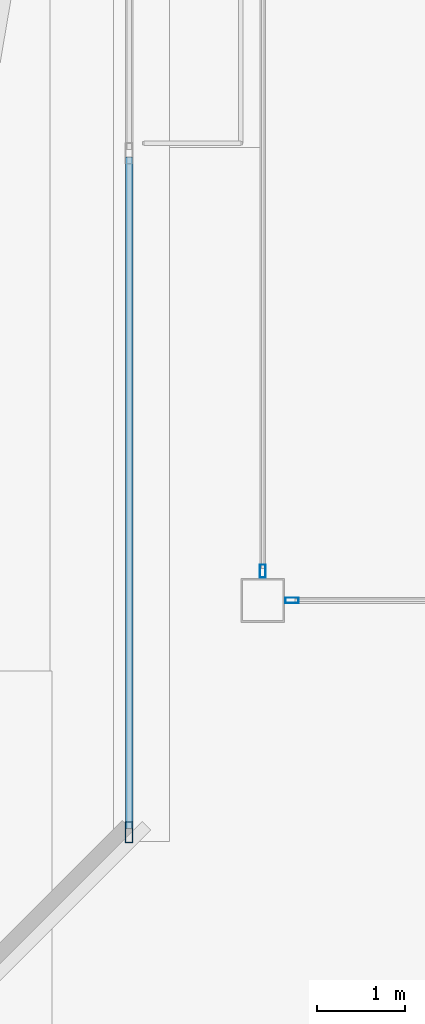
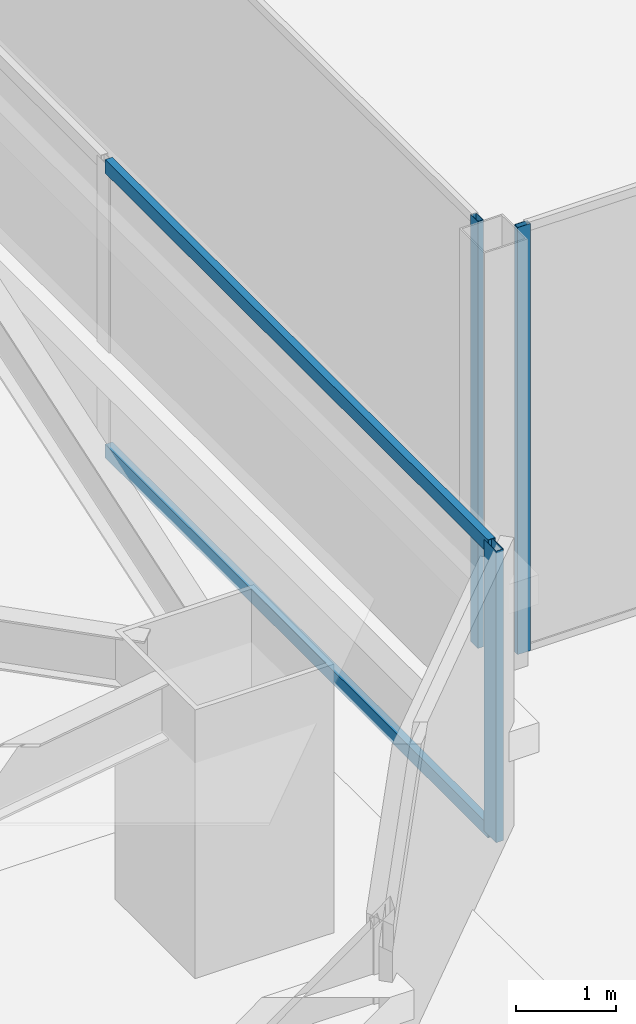
# One storey, part 23 of 83: 5 members, 3 elements without a shape of their own.
"""IFC4 building model written with IfcOpenShell, lengths in metres."""

from ifc_helpers import new_model, si_unit, direction, frame, origin, origin_2d, place, context, subcontext, project, spatial, hollow_rectangle, extrude, material, material_profile, profile_set, type_object, element, aggregate, save


model = new_model("IFC4")

# Units and contexts
model_context = context("Model", 3, precision=1e-05, world=origin(), true_north=direction((0.0, 1.0)))
body_context = subcontext(model_context, "Body", "Model", "MODEL_VIEW")
ifc_project = project(units=[si_unit("LENGTHUNIT", "METRE"), si_unit("AREAUNIT", "SQUARE_METRE"), si_unit("VOLUMEUNIT", "CUBIC_METRE"), si_unit("PLANEANGLEUNIT", "RADIAN"), si_unit("MASSUNIT", "GRAM", prefix="KILO")], contexts=[model_context])

# Site, building, storey
site_placement = place(None, origin())
site = spatial("IfcSite", under=ifc_project, at=site_placement, CompositionType="ELEMENT")
building_placement = place(site_placement, origin())
building = spatial("IfcBuilding", under=site, at=building_placement, Name="Tashvorn Skyway Center", CompositionType="ELEMENT")
storey_placement = place(building_placement, frame((0.0, 0.0, 24.60009765625)))
storey = spatial("IfcBuildingStorey", under=building, at=storey_placement, Name="L05", CompositionType="ELEMENT", Elevation=24.60009765625)

# Curtain wall, member
ifc_material = material(Name="Thermally broken bronze-anodized aluminium 6063-T6", Category="aluminium")
curtain_wall_type_1 = type_object("IfcCurtainWallType", Name="CW-CW-SKY", PredefinedType="NOTDEFINED", material=ifc_material)
curtain_wall_1_placement = place(storey_placement, origin())
curtain_wall_1 = element("IfcCurtainWall", 1, at=curtain_wall_1_placement, inside=storey, type_object=curtain_wall_type_1, Name="Station Concourse Monitor West Clerestory Curtain Wall Glazing Group 1", PredefinedType="NOTDEFINED")
ifc_material_profile_1 = material_profile(ifc_material, hollow_rectangle(XDim=0.06494140625, YDim=0.14990234375, WallThickness=0.00390625, at=origin_2d()), Name="ALU-MULL-65x150")
ifc_profile_set_1 = profile_set([ifc_material_profile_1], Name="Thermally broken bronze-anodized aluminium 6063-T6")
member_type_1 = type_object("IfcMemberType", Name="CWM-CW-SKY", PredefinedType="MULLION", material=ifc_profile_set_1)
member_1_placement = place(storey_placement, frame((66.39990234375, 15.132568359375, 0.0), z_axis=(0.0, 0.0, 1.0), x_axis=(-1.0, 0.0, 0.0)))
member_1 = element("IfcMember", 2, at=member_1_placement, type_object=member_type_1, Name="CW-SKY mullion 1", PredefinedType="MULLION", context=body_context, shape_type="SweptSolid", body=[
    extrude(hollow_rectangle(XDim=0.06494140625, YDim=0.14990234375, WallThickness=0.00390625, at=origin_2d()), origin(), (0.0, 0.0, 1.0), 5.199951171875),
])
aggregate(curtain_wall_1, [member_1])

curtain_wall_2_placement = place(storey_placement, origin())
curtain_wall_2 = element("IfcCurtainWall", 3, at=curtain_wall_2_placement, inside=storey, type_object=curtain_wall_type_1, Name="Station Concourse Monitor South Clerestory Curtain Wall", PredefinedType="NOTDEFINED")
member_2_placement = place(storey_placement, frame((66.732421875, 14.800048828125, 0.0), z_axis=(0.0, 0.0, 1.0), x_axis=(0.0, -1.0, 0.0)))
member_2 = element("IfcMember", 4, at=member_2_placement, type_object=member_type_1, Name="CW-SKY mullion 3", PredefinedType="MULLION", context=body_context, shape_type="SweptSolid", body=[
    extrude(hollow_rectangle(XDim=0.06494140625, YDim=0.14990234375, WallThickness=0.00390625, at=origin_2d()), origin(), (0.0, 0.0, 1.0), 5.199951171875),
])
aggregate(curtain_wall_2, [member_2])

# Curtain wall, members
curtain_wall_type_2 = type_object("IfcCurtainWallType", Name="CW-CW-Z1", PredefinedType="NOTDEFINED", material=ifc_material)
curtain_wall_3_placement = place(storey_placement, origin())
curtain_wall_3 = element("IfcCurtainWall", 5, at=curtain_wall_3_placement, inside=storey, type_object=curtain_wall_type_2, Name="Tower 1 L05 East Curtain Wall R", PredefinedType="NOTDEFINED")
ifc_material_profile_2 = material_profile(ifc_material, hollow_rectangle(XDim=0.0849609375, YDim=0.239990234375, WallThickness=0.0048828125, at=origin_2d()), Name="ALU-MULL-85x240")
ifc_profile_set_2 = profile_set([ifc_material_profile_2], Name="Thermally broken bronze-anodized aluminium 6063-T6")
member_type_2 = type_object("IfcMemberType", Name="CWM-CW-Z1", PredefinedType="MULLION", material=ifc_profile_set_2)
member_3_placement = place(storey_placement, frame((64.8798828125, 12.16259765625, 0.0), z_axis=(0.0, 0.0, 1.0), x_axis=(1.0, 0.0, 0.0)))
member_3 = element("IfcMember", 6, at=member_3_placement, type_object=member_type_2, Name="CW-Z1 mullion 3", PredefinedType="MULLION", context=body_context, shape_type="SweptSolid", body=[
    extrude(hollow_rectangle(XDim=0.0849609375, YDim=0.239990234375, WallThickness=0.0048828125, at=origin_2d()), origin(), (0.0, 0.0, 1.0), 3.5498046875),
])
ifc_material_profile_3 = material_profile(ifc_material, hollow_rectangle(XDim=0.0849609375, YDim=0.1650390625, WallThickness=0.0048828125, at=origin_2d()), Name="ALU-TRAN-85x165")
ifc_profile_set_3 = profile_set([ifc_material_profile_3], Name="Thermally broken bronze-anodized aluminium 6063-T6")
member_type_3 = type_object("IfcMemberType", Name="CWT-CW-Z1", PredefinedType="USERDEFINED", material=ifc_profile_set_3)
member_4_placement = place(storey_placement, frame((64.8798828125, 19.842529296875, 0.04248046875), z_axis=(0.0, -1.0, 0.0), x_axis=(1.0, 0.0, 0.0)))
member_4 = element("IfcMember", 7, at=member_4_placement, type_object=member_type_3, Name="CW-Z1 transom 2.1", ObjectType="TRANSOM", PredefinedType="USERDEFINED", context=body_context, shape_type="SweptSolid", body=[
    extrude(hollow_rectangle(XDim=0.0849609375, YDim=0.1650390625, WallThickness=0.0048828125, at=origin_2d()), origin(), (0.0, 0.0, 1.0), 7.637451171875),
])
member_5_placement = place(storey_placement, frame((64.8798828125, 19.842529296875, 3.50732421875), z_axis=(0.0, -1.0, 0.0), x_axis=(1.0, 0.0, 0.0)))
member_5 = element("IfcMember", 8, at=member_5_placement, type_object=member_type_3, Name="CW-Z1 transom 2.2", ObjectType="TRANSOM", PredefinedType="USERDEFINED", context=body_context, shape_type="SweptSolid", body=[
    extrude(hollow_rectangle(XDim=0.0849609375, YDim=0.1650390625, WallThickness=0.0048828125, at=origin_2d()), origin(), (0.0, 0.0, 1.0), 7.637451171875),
])
aggregate(curtain_wall_3, [member_3, member_4, member_5])

save(model, "model.ifc")
